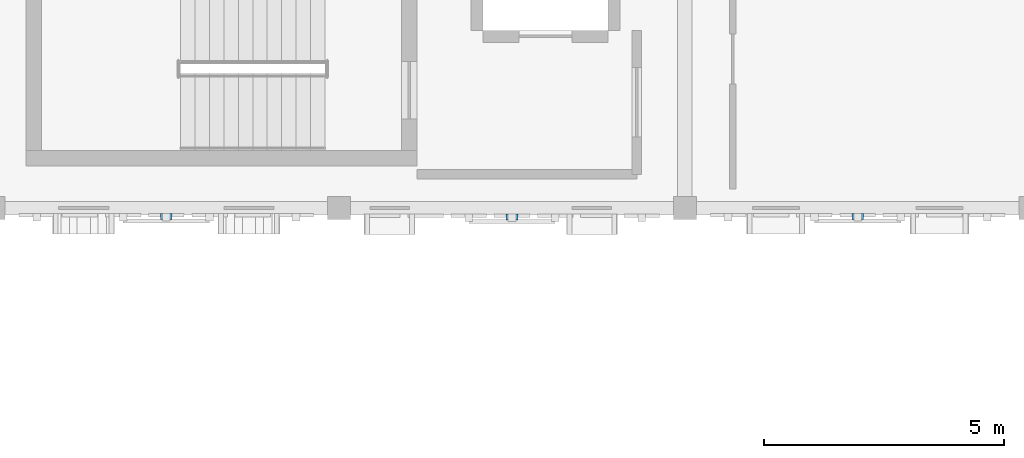
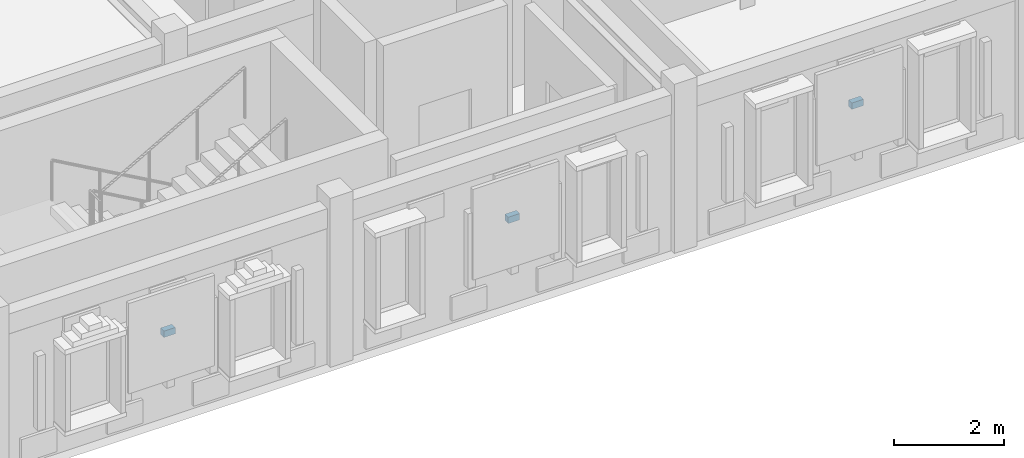
# One storey, part 34 of 53: 3 discrete accessories.
"""IFC4 building model written with IfcOpenShell, lengths in metres."""

from ifc_helpers import new_model, si_unit, direction, frame, origin, origin_2d, place, context, subcontext, project, spatial, rectangle, extrude, material, type_object, element, save


model = new_model("IFC4")

# Units and contexts
model_context = context("Model", 3, precision=1e-05, world=origin(), true_north=direction((0.0, 1.0)))
body_context = subcontext(model_context, "Body", "Model", "MODEL_VIEW")
ifc_project = project(units=[si_unit("LENGTHUNIT", "METRE"), si_unit("AREAUNIT", "SQUARE_METRE"), si_unit("VOLUMEUNIT", "CUBIC_METRE"), si_unit("PLANEANGLEUNIT", "RADIAN"), si_unit("MASSUNIT", "GRAM", prefix="KILO")], contexts=[model_context])

# Site, building, storey
site_placement = place(None, origin())
site = spatial("IfcSite", under=ifc_project, at=site_placement, CompositionType="ELEMENT")
building_placement = place(site_placement, origin())
building = spatial("IfcBuilding", under=site, at=building_placement, Name="Nzembalo Square Collegiate School", CompositionType="ELEMENT")
storey_placement = place(building_placement, frame((0.0, 0.0, 13.60009765625)))
storey = spatial("IfcBuildingStorey", under=building, at=storey_placement, Name="L03", CompositionType="ELEMENT", Elevation=13.60009765625)

# Discrete accessories
ifc_material = material(Name="Steel S355", Category="steel")
discrete_accessory_type = type_object("IfcDiscreteAccessoryType", Name="BK01", PredefinedType="BRACKET", material=ifc_material)
for number, where, z_axis, x_axis, name in (
    (1, (12.0, 44.222412109375, 1.87939453125), (0.0, 0.0, 1.0), (1.0, 0.0, 0.0), "Screen bracket BK01-021"),
    (2, (19.199951171875, 44.21240234375, 1.88427734375), (0.0, 0.0, 1.0), (1.0, 0.0, 0.0), "Screen bracket BK01-022"),
    (3, (26.39990234375, 44.222412109375, 1.88427734375), (0.0, 0.0, 1.0), (1.0, 0.0, 0.0), "Screen bracket BK01-023"),
):
    element("IfcDiscreteAccessory", number, at=place(storey_placement, frame(where, z_axis=z_axis, x_axis=x_axis)), inside=storey, type_object=discrete_accessory_type, Name=name, PredefinedType="BRACKET", context=body_context, shape_type="SweptSolid", body=[
        extrude(rectangle(XDim=0.239990234375, YDim=0.1201171875, at=origin_2d()), origin(), (0.0, 0.0, 1.0), 0.139892578125),
    ])

save(model, "model.ifc")
